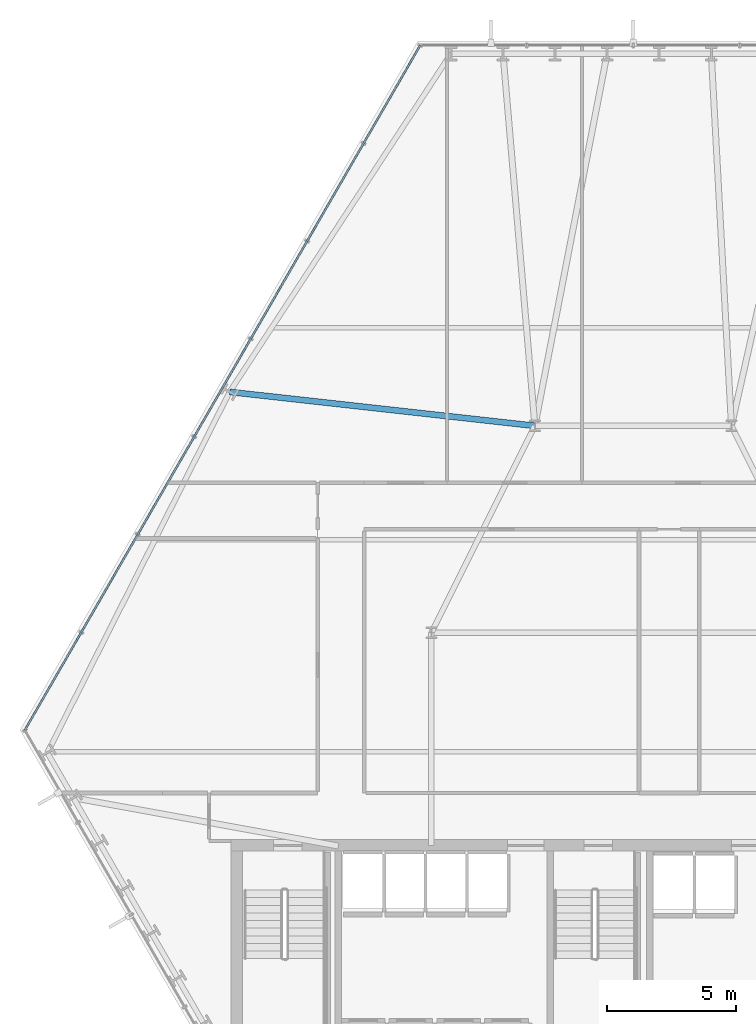
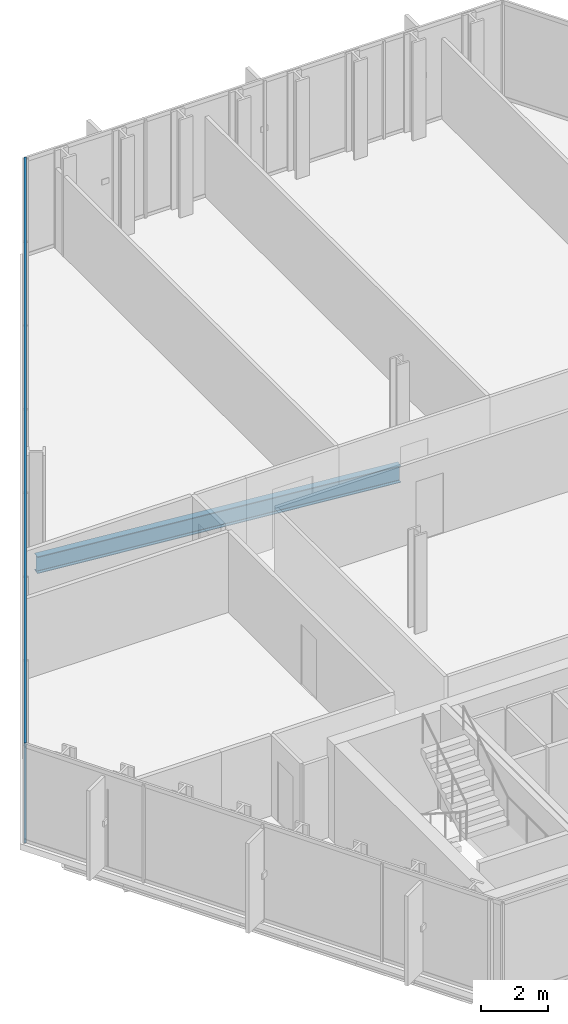
# One storey, part 11 of 33: 2 members, 1 beam, 1 element without a shape of its own.
"""IFC4 building model written with IfcOpenShell, lengths in metres."""

from ifc_helpers import new_model, si_unit, direction, frame, origin, origin_2d, place, context, subcontext, project, spatial, hollow_rectangle, i_section, extrude, material, layer, layer_set, material_profile, profile_set, type_object, element, aggregate, save


model = new_model("IFC4")

# Units and contexts
model_context = context("Model", 3, precision=1e-05, world=origin(), true_north=direction((0.0, 1.0)))
body_context = subcontext(model_context, "Body", "Model", "MODEL_VIEW")
ifc_project = project(units=[si_unit("LENGTHUNIT", "METRE"), si_unit("AREAUNIT", "SQUARE_METRE"), si_unit("VOLUMEUNIT", "CUBIC_METRE"), si_unit("PLANEANGLEUNIT", "RADIAN"), si_unit("MASSUNIT", "GRAM", prefix="KILO")], contexts=[model_context])

# Site, building, storey
site_placement = place(None, origin())
site = spatial("IfcSite", under=ifc_project, at=site_placement, CompositionType="ELEMENT")
building_placement = place(site_placement, origin())
building = spatial("IfcBuilding", under=site, at=building_placement, Name="Ndaravel Arena Tower", CompositionType="ELEMENT")
storey_placement = place(building_placement, frame((0.0, 0.0, 39.800048828125)))
storey = spatial("IfcBuildingStorey", under=building, at=storey_placement, Name="L07", CompositionType="ELEMENT", Elevation=39.800048828125)

# Beam
ifc_material_1 = material(Name="Steel S355", Category="steel")
ifc_material_profile_1 = material_profile(ifc_material_1, i_section(OverallWidth=0.230224609375, OverallDepth=0.6171875, WebThickness=0.01318359375, FlangeThickness=0.022216796875, FilletRadius=0.0126953125, at=origin_2d()), Name="UB 610x229x140")
ifc_profile_set_1 = profile_set([ifc_material_profile_1], Name="Steel S355")
beam_type = type_object("IfcBeamType", Name="BM-GIRD-UB610B", PredefinedType="BEAM", material=ifc_profile_set_1)
beam_placement = place(storey_placement, frame((26.394287109375, 32.510009765625, -0.528564453125), z_axis=(0.993899265506, -0.110291658919, 0.0), x_axis=(0.110291658919, 0.993899265506, 0.0)))
element("IfcBeam", 1, at=beam_placement, inside=storey, type_object=beam_type, Name="L07 Radial Floor Girder FG-19", PredefinedType="BEAM", context=body_context, shape_type="SweptSolid", body=[
    extrude(i_section(OverallWidth=0.230224609375, OverallDepth=0.6171875, WebThickness=0.01318359375, FlangeThickness=0.022216796875, FilletRadius=0.0126953125, at=origin_2d()), origin(), (0.0, 0.0, 1.0), 11.878173828125),
])

# Curtain wall, members
ifc_material_2 = material(Name="Aluminium", Category="aluminium")
ifc_layer = layer(ifc_material_2, 0.179931640625)
ifc_layer_set = layer_set([ifc_layer], Name="Aluminium")
curtain_wall_type = type_object("IfcCurtainWallType", Name="CW-SYS-03", PredefinedType="NOTDEFINED", material=ifc_layer_set)
curtain_wall_placement = place(storey_placement, origin())
curtain_wall = element("IfcCurtainWall", 2, at=curtain_wall_placement, inside=storey, type_object=curtain_wall_type, Name="L07 Faceted Crystal Curtain Wall CW-L07-E05", PredefinedType="NOTDEFINED")
ifc_material_3 = material(Name="Aluminium", Category="aluminium")
ifc_material_profile_2 = material_profile(ifc_material_3, hollow_rectangle(XDim=0.074951171875, YDim=0.14990234375, WallThickness=0.00390625, at=origin_2d()), Name="CW TRANSOM 75x150x4")
ifc_profile_set_2 = profile_set([ifc_material_profile_2], Name="Aluminium")
member_type = type_object("IfcMemberType", Name="MEM-CW-TRN150", PredefinedType="USERDEFINED", material=ifc_profile_set_2)
member_1_placement = place(storey_placement, frame((33.76123046875, 45.909912109375, 0.0400390625), z_axis=(-0.500002605586, -0.866023899444, 0.0), x_axis=(0.866023899444, -0.500002605586, 0.0)))
member_1 = element("IfcMember", 3, at=member_1_placement, type_object=member_type, Name="CW-L07-E05 Transom 01", ObjectType="TRANSOM", PredefinedType="USERDEFINED", context=body_context, shape_type="SweptSolid", body=[
    extrude(hollow_rectangle(XDim=0.074951171875, YDim=0.14990234375, WallThickness=0.00390625, at=origin_2d()), origin(), (0.0, 0.0, 1.0), 30.576416015625),
])
member_2_placement = place(storey_placement, frame((33.76123046875, 45.909912109375, 3.5400390625), z_axis=(-0.500002605586, -0.866023899444, 0.0), x_axis=(0.866023899444, -0.500002605586, 0.0)))
member_2 = element("IfcMember", 4, at=member_2_placement, type_object=member_type, Name="CW-L07-E05 Transom 02", ObjectType="TRANSOM", PredefinedType="USERDEFINED", context=body_context, shape_type="SweptSolid", body=[
    extrude(hollow_rectangle(XDim=0.074951171875, YDim=0.14990234375, WallThickness=0.00390625, at=origin_2d()), origin(), (0.0, 0.0, 1.0), 30.576416015625),
])
aggregate(curtain_wall, [member_1, member_2])

save(model, "model.ifc")
